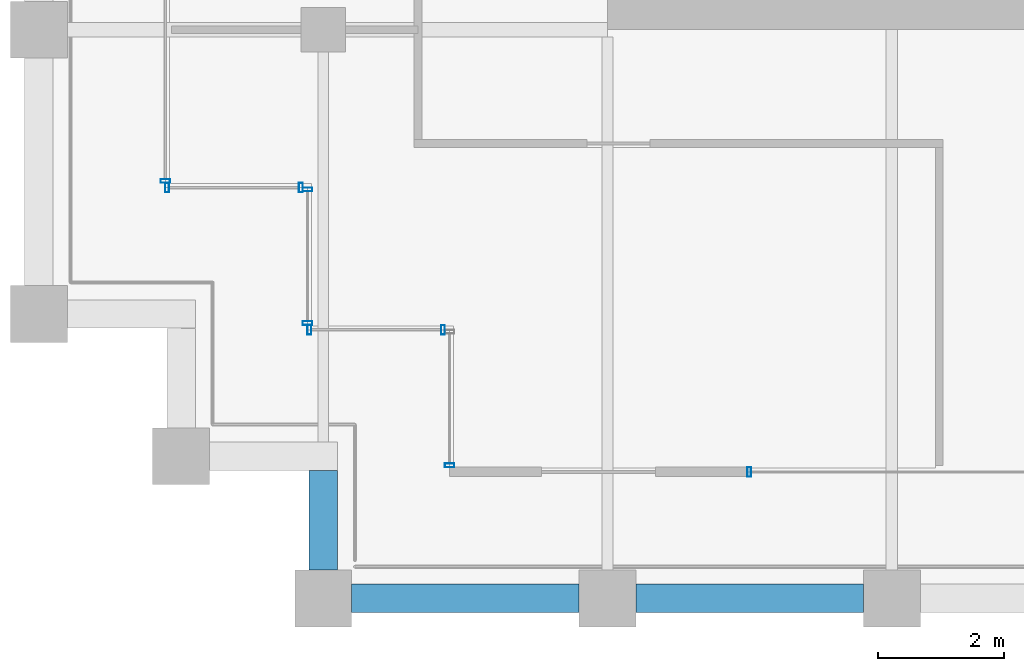
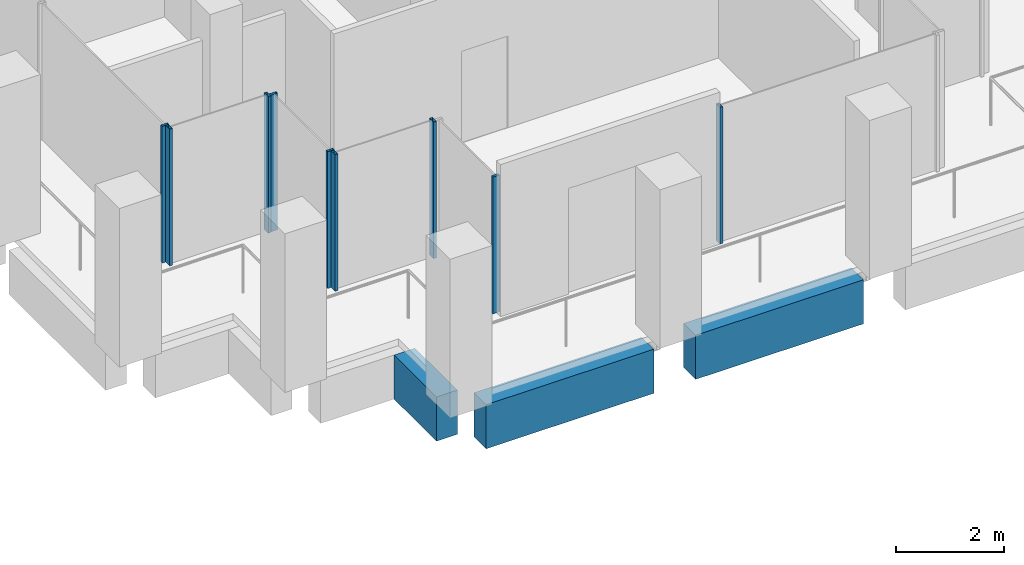
# One storey, part 28 of 40: 9 members, 3 beams, 6 elements without a shape of their own.
"""IFC4 building model written with IfcOpenShell, lengths in metres."""

from ifc_helpers import new_model, si_unit, direction, frame, origin, origin_2d, place, context, subcontext, project, spatial, rectangle, hollow_rectangle, extrude, material, material_profile, profile_set, type_object, element, aggregate, save


model = new_model("IFC4")

# Units and contexts
model_context = context("Model", 3, precision=1e-05, world=origin(), true_north=direction((0.0, 1.0)))
body_context = subcontext(model_context, "Body", "Model", "MODEL_VIEW")
ifc_project = project(units=[si_unit("LENGTHUNIT", "METRE"), si_unit("AREAUNIT", "SQUARE_METRE"), si_unit("VOLUMEUNIT", "CUBIC_METRE"), si_unit("PLANEANGLEUNIT", "RADIAN"), si_unit("MASSUNIT", "GRAM", prefix="KILO")], contexts=[model_context])

# Site, building, storey
site_placement = place(None, origin())
site = spatial("IfcSite", under=ifc_project, at=site_placement, CompositionType="ELEMENT")
building_placement = place(site_placement, origin())
building = spatial("IfcBuilding", under=site, at=building_placement, Name="Altepetl Exchange Towers", CompositionType="ELEMENT")
storey_placement = place(building_placement, frame((0.0, 0.0, 169.0)))
storey = spatial("IfcBuildingStorey", under=building, at=storey_placement, Name="L42", CompositionType="ELEMENT", Elevation=169.0)

# Curtain wall, member
ifc_material_1 = material(Name="Aluminium 6063-T6 glazing", Category="aluminium")
curtain_wall_type = type_object("IfcCurtainWallType", Name="Loggia glazing system", PredefinedType="NOTDEFINED", material=ifc_material_1)
curtain_wall_1_placement = place(storey_placement, origin())
curtain_wall_1 = element("IfcCurtainWall", 1, at=curtain_wall_1_placement, inside=storey, type_object=curtain_wall_type, Name="CW1 run", PredefinedType="NOTDEFINED")
ifc_material_2 = material(Name="Aluminium 6063-T6", Category="aluminium")
ifc_material_profile_1 = material_profile(ifc_material_2, hollow_rectangle(XDim=0.06005859375, YDim=0.14990234375, WallThickness=0.0029296875, at=origin_2d()), Name="Mullion 60x150 aluminium")
ifc_profile_set_1 = profile_set([ifc_material_profile_1], Name="Aluminium 6063-T6")
member_type = type_object("IfcMemberType", Name="Mullion 60x150 aluminium", PredefinedType="MULLION", material=ifc_profile_set_1)
member_1_placement = place(storey_placement, frame((101.0, 29.10498046875, 0.0), z_axis=(0.0, 0.0, 1.0), x_axis=(0.0, -1.0, 0.0)))
member_1 = element("IfcMember", 2, at=member_1_placement, type_object=member_type, Name="MU1 mullion", PredefinedType="MULLION", context=body_context, shape_type="SweptSolid", body=[
    extrude(hollow_rectangle(XDim=0.06005859375, YDim=0.14990234375, WallThickness=0.0029296875, at=origin_2d()), origin(), (0.0, 0.0, 1.0), 3.10009765625),
])
aggregate(curtain_wall_1, [member_1])

curtain_wall_2_placement = place(storey_placement, origin())
curtain_wall_2 = element("IfcCurtainWall", 3, at=curtain_wall_2_placement, inside=storey, type_object=curtain_wall_type, Name="CW1 run", PredefinedType="NOTDEFINED")
member_2_placement = place(storey_placement, frame((105.742431640625, 29.0, 0.0)))
member_2 = element("IfcMember", 4, at=member_2_placement, type_object=member_type, Name="MU1 mullion", PredefinedType="MULLION", context=body_context, shape_type="SweptSolid", body=[
    extrude(hollow_rectangle(XDim=0.06005859375, YDim=0.14990234375, WallThickness=0.0029296875, at=origin_2d()), origin(), (0.0, 0.0, 1.0), 3.10009765625),
])
aggregate(curtain_wall_2, [member_2])

curtain_wall_3_placement = place(storey_placement, origin())
curtain_wall_3 = element("IfcCurtainWall", 5, at=curtain_wall_3_placement, inside=storey, type_object=curtain_wall_type, Name="CW1 run", PredefinedType="NOTDEFINED")
member_3_placement = place(storey_placement, frame((96.5, 33.60498046875, 0.0), z_axis=(0.0, 0.0, 1.0), x_axis=(0.0, -1.0, 0.0)))
member_3 = element("IfcMember", 6, at=member_3_placement, type_object=member_type, Name="MU1 mullion", PredefinedType="MULLION", context=body_context, shape_type="SweptSolid", body=[
    extrude(hollow_rectangle(XDim=0.06005859375, YDim=0.14990234375, WallThickness=0.0029296875, at=origin_2d()), origin(), (0.0, 0.0, 1.0), 3.10009765625),
])
aggregate(curtain_wall_3, [member_3])

# Curtain wall, members
curtain_wall_4_placement = place(storey_placement, origin())
curtain_wall_4 = element("IfcCurtainWall", 7, at=curtain_wall_4_placement, inside=storey, type_object=curtain_wall_type, Name="CW1 run", PredefinedType="NOTDEFINED")
member_4_placement = place(storey_placement, frame((96.530029296875, 33.5, 0.0)))
member_4 = element("IfcMember", 8, at=member_4_placement, type_object=member_type, Name="MU1 mullion", PredefinedType="MULLION", context=body_context, shape_type="SweptSolid", body=[
    extrude(hollow_rectangle(XDim=0.06005859375, YDim=0.14990234375, WallThickness=0.0029296875, at=origin_2d()), origin(), (0.0, 0.0, 1.0), 3.10009765625),
])
member_5_placement = place(storey_placement, frame((98.64501953125, 33.5, 0.0)))
member_5 = element("IfcMember", 9, at=member_5_placement, type_object=member_type, Name="MU1 mullion", PredefinedType="MULLION", context=body_context, shape_type="SweptSolid", body=[
    extrude(hollow_rectangle(XDim=0.06005859375, YDim=0.14990234375, WallThickness=0.0029296875, at=origin_2d()), origin(), (0.0, 0.0, 1.0), 3.10009765625),
])
aggregate(curtain_wall_4, [member_4, member_5])

curtain_wall_5_placement = place(storey_placement, origin())
curtain_wall_5 = element("IfcCurtainWall", 10, at=curtain_wall_5_placement, inside=storey, type_object=curtain_wall_type, Name="CW1 run", PredefinedType="NOTDEFINED")
member_6_placement = place(storey_placement, frame((98.75, 33.469970703125, 0.0), z_axis=(0.0, 0.0, 1.0), x_axis=(0.0, -1.0, 0.0)))
member_6 = element("IfcMember", 11, at=member_6_placement, type_object=member_type, Name="MU1 mullion", PredefinedType="MULLION", context=body_context, shape_type="SweptSolid", body=[
    extrude(hollow_rectangle(XDim=0.06005859375, YDim=0.14990234375, WallThickness=0.0029296875, at=origin_2d()), origin(), (0.0, 0.0, 1.0), 3.10009765625),
])
member_7_placement = place(storey_placement, frame((98.75, 31.35498046875, 0.0), z_axis=(0.0, 0.0, 1.0), x_axis=(0.0, -1.0, 0.0)))
member_7 = element("IfcMember", 12, at=member_7_placement, type_object=member_type, Name="MU1 mullion", PredefinedType="MULLION", context=body_context, shape_type="SweptSolid", body=[
    extrude(hollow_rectangle(XDim=0.06005859375, YDim=0.14990234375, WallThickness=0.0029296875, at=origin_2d()), origin(), (0.0, 0.0, 1.0), 3.10009765625),
])
aggregate(curtain_wall_5, [member_6, member_7])

curtain_wall_6_placement = place(storey_placement, origin())
curtain_wall_6 = element("IfcCurtainWall", 13, at=curtain_wall_6_placement, inside=storey, type_object=curtain_wall_type, Name="CW1 run", PredefinedType="NOTDEFINED")
member_8_placement = place(storey_placement, frame((98.780029296875, 31.25, 0.0)))
member_8 = element("IfcMember", 14, at=member_8_placement, type_object=member_type, Name="MU1 mullion", PredefinedType="MULLION", context=body_context, shape_type="SweptSolid", body=[
    extrude(hollow_rectangle(XDim=0.06005859375, YDim=0.14990234375, WallThickness=0.0029296875, at=origin_2d()), origin(), (0.0, 0.0, 1.0), 3.10009765625),
])
member_9_placement = place(storey_placement, frame((100.89501953125, 31.25, 0.0)))
member_9 = element("IfcMember", 15, at=member_9_placement, type_object=member_type, Name="MU1 mullion", PredefinedType="MULLION", context=body_context, shape_type="SweptSolid", body=[
    extrude(hollow_rectangle(XDim=0.06005859375, YDim=0.14990234375, WallThickness=0.0029296875, at=origin_2d()), origin(), (0.0, 0.0, 1.0), 3.10009765625),
])
aggregate(curtain_wall_6, [member_8, member_9])

# Beams
ifc_material_3 = material(Name="Concrete C50/60 precast with tezontle facing", Category="concrete")
ifc_material_profile_2 = material_profile(ifc_material_3, rectangle(XDim=0.449951171875, YDim=1.0, at=origin_2d()), Name="450 x 1000")
ifc_profile_set_2 = profile_set([ifc_material_profile_2], Name="Concrete C50/60 precast with tezontle facing")
beam_type = type_object("IfcBeamType", Name="Spandrel beam 450x1000 tezontle", PredefinedType="SPANDREL", material=ifc_profile_set_2)
for number, where, z_axis, x_axis, name in (
    (16, (99.449951171875, 27.0, -0.64990234375), (1.0, 0.0, 0.0), (0.0, 1.0, 0.0), "sp:B:L42:000"),
    (17, (103.949951171875, 27.0, -0.64990234375), (1.0, 0.0, 0.0), (0.0, 1.0, 0.0), "sp:B:L42:001"),
):
    element("IfcBeam", number, at=place(storey_placement, frame(where, z_axis=z_axis, x_axis=x_axis)), inside=storey, type_object=beam_type, Name=name, PredefinedType="SPANDREL", context=body_context, shape_type="SweptSolid", body=[
        extrude(rectangle(XDim=0.449951171875, YDim=1.0, at=origin_2d()), origin(), (0.0, 0.0, 1.0), 3.60009765625),
    ])
beam_placement = place(storey_placement, frame((99.0, 29.02490234375, -0.64990234375), z_axis=(0.0, -1.0, 0.0), x_axis=(1.0, 0.0, 0.0)))
element("IfcBeam", 18, at=beam_placement, inside=storey, type_object=beam_type, Name="sp:B:L42:023", PredefinedType="SPANDREL", context=body_context, shape_type="SweptSolid", body=[
    extrude(rectangle(XDim=0.449951171875, YDim=1.0, at=origin_2d()), origin(), (0.0, 0.0, 1.0), 1.574951171875),
])

save(model, "model.ifc")
